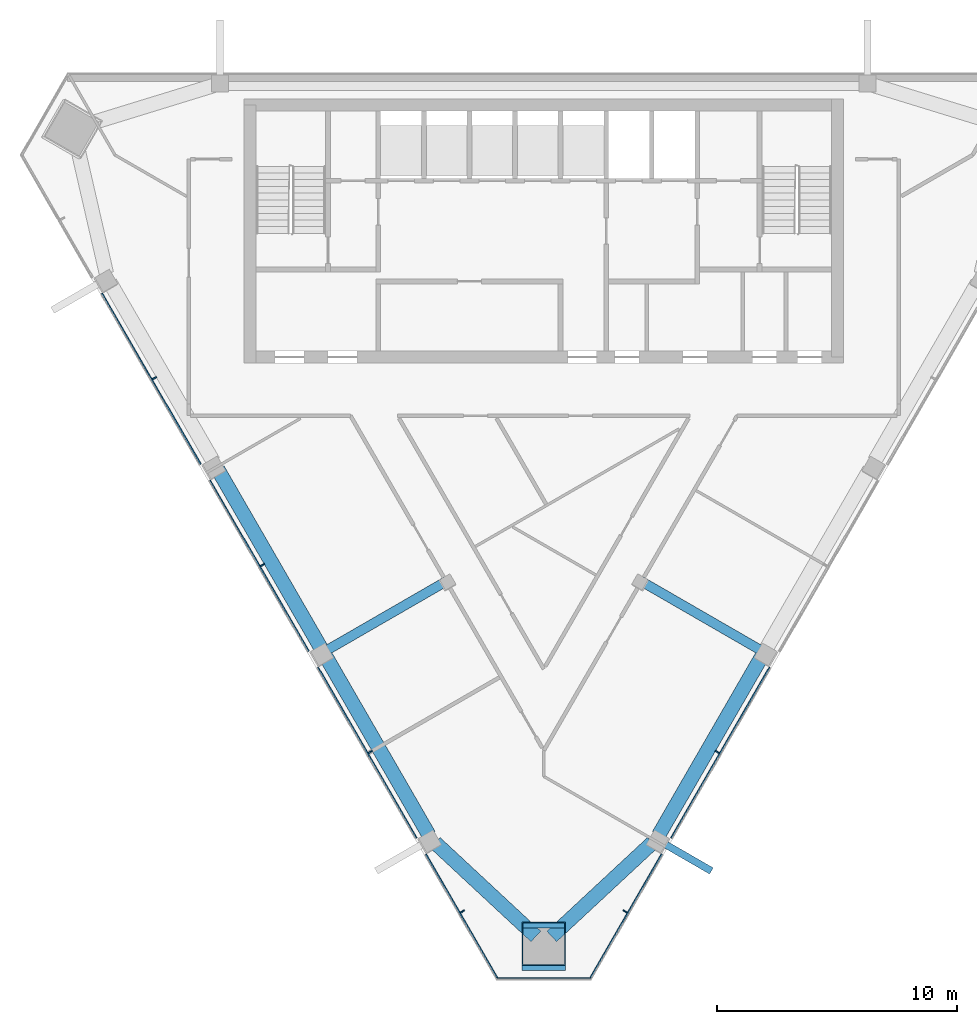
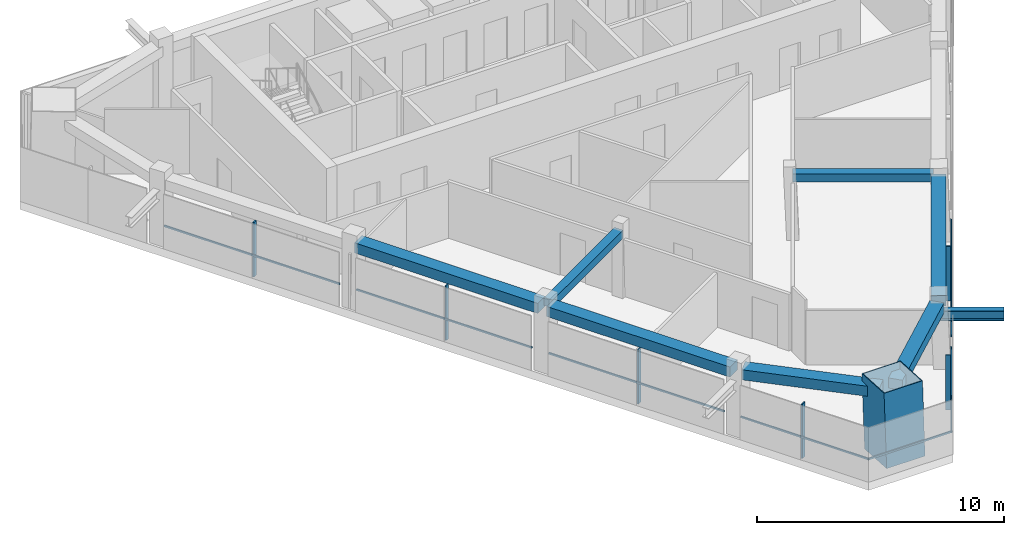
# One storey, part 2 of 9: 15 members, 7 beams, 3 elements without a shape of their own.
"""IFC4 building model written with IfcOpenShell, lengths in metres."""

from ifc_helpers import new_model, si_unit, direction, frame, origin, origin_2d, place, context, subcontext, project, spatial, rectangle, hollow_rectangle, i_section, extrude, material, layer, layer_set, material_profile, profile_set, type_object, element, aggregate, save


model = new_model("IFC4")

# Units and contexts
model_context = context("Model", 3, precision=1e-05, world=origin(), true_north=direction((0.0, 1.0)))
body_context = subcontext(model_context, "Body", "Model", "MODEL_VIEW")
ifc_project = project(units=[si_unit("LENGTHUNIT", "METRE"), si_unit("AREAUNIT", "SQUARE_METRE"), si_unit("VOLUMEUNIT", "CUBIC_METRE"), si_unit("PLANEANGLEUNIT", "RADIAN"), si_unit("MASSUNIT", "GRAM", prefix="KILO")], contexts=[model_context])

# Site, building, storey
site_placement = place(None, origin())
site = spatial("IfcSite", under=ifc_project, at=site_placement, CompositionType="ELEMENT")
building_placement = place(site_placement, origin())
building = spatial("IfcBuilding", under=site, at=building_placement, Name="Altiplano Prism Tower", CompositionType="ELEMENT")
storey_placement = place(building_placement, frame((0.0, 0.0, 309.39990234375)))
storey = spatial("IfcBuildingStorey", under=building, at=storey_placement, Name="L80", CompositionType="ELEMENT", Elevation=309.39990234375)

# Member
ifc_material_1 = material(Name="Steel S355", Category="steel")
ifc_material_profile_1 = material_profile(ifc_material_1, i_section(OverallWidth=0.300048828125, OverallDepth=0.5, WebThickness=0.014404296875, FlangeThickness=0.028076171875, FilletRadius=0.027099609375, at=origin_2d()), Name="Brace bracket HEB 500")
ifc_profile_set_1 = profile_set([ifc_material_profile_1], Name="Steel S355")
member_type_1 = type_object("IfcMemberType", Name="Brace bracket HEB 500", PredefinedType="STRUT", material=ifc_profile_set_1)
member_1_placement = place(storey_placement, frame((89.692138671875, 73.040283203125, 2.433837890625), z_axis=(0.866029095148, -0.499993606316, 0.0), x_axis=(0.499993606316, 0.866029095148, 0.0)))
element("IfcMember", 1, at=member_1_placement, inside=storey, type_object=member_type_1, Name="Brace bracket 2.313", PredefinedType="STRUT", context=body_context, shape_type="SweptSolid", body=[
    extrude(i_section(OverallWidth=0.300048828125, OverallDepth=0.5, WebThickness=0.014404296875, FlangeThickness=0.028076171875, FilletRadius=0.027099609375, at=origin_2d()), origin(), (0.0, 0.0, 1.0), 2.64990234375),
])

# Curtain wall, members
ifc_material_2 = material(Name="Aluminium and glass", Category="aluminium")
ifc_layer = layer(ifc_material_2, 0.303955078125)
ifc_layer_set = layer_set([ifc_layer], Name="Aluminium and glass")
curtain_wall_type = type_object("IfcCurtainWallType", Name="CW2 lounge-band unitised glazing", PredefinedType="NOTDEFINED", material=ifc_layer_set)
curtain_wall_1_placement = place(storey_placement, origin())
curtain_wall_1 = element("IfcCurtainWall", 2, at=curtain_wall_1_placement, inside=storey, type_object=curtain_wall_type, Name="CW2 curtain wall south-west face L80", PredefinedType="NOTDEFINED")
ifc_material_3 = material(Name="Aluminium", Category="aluminium")
ifc_material_profile_2 = material_profile(ifc_material_3, rectangle(XDim=0.199951171875, YDim=0.06005859375, at=origin_2d()), Name="CW2 mullion 60 x 200")
ifc_profile_set_2 = profile_set([ifc_material_profile_2], Name="Aluminium")
member_type_2 = type_object("IfcMemberType", Name="CW2 mullion 60 x 200", PredefinedType="MULLION", material=ifc_profile_set_2)
member_2_placement = place(storey_placement, frame((68.764892578125, 92.264404296875, 0.0), z_axis=(0.0, 0.0, 1.0), x_axis=(0.866025402702, 0.500000001874, 0.0)))
member_2 = element("IfcMember", 3, at=member_2_placement, type_object=member_type_2, Name="CW2 mullion", PredefinedType="MULLION", context=body_context, shape_type="SweptSolid", body=[
    extrude(rectangle(XDim=0.199951171875, YDim=0.06005859375, at=origin_2d()), origin(), (0.0, 0.0, 1.0), 2.7001953125),
])
member_3_placement = place(storey_placement, frame((73.264892578125, 84.47021484375, 0.0), z_axis=(0.0, 0.0, 1.0), x_axis=(0.866025402702, 0.500000001874, 0.0)))
member_3 = element("IfcMember", 4, at=member_3_placement, type_object=member_type_2, Name="CW2 mullion", PredefinedType="MULLION", context=body_context, shape_type="SweptSolid", body=[
    extrude(rectangle(XDim=0.199951171875, YDim=0.06005859375, at=origin_2d()), origin(), (0.0, 0.0, 1.0), 2.7001953125),
])
member_4_placement = place(storey_placement, frame((77.764892578125, 76.676025390625, 0.0), z_axis=(0.0, 0.0, 1.0), x_axis=(0.866025402702, 0.500000001874, 0.0)))
member_4 = element("IfcMember", 5, at=member_4_placement, type_object=member_type_2, Name="CW2 mullion", PredefinedType="MULLION", context=body_context, shape_type="SweptSolid", body=[
    extrude(rectangle(XDim=0.199951171875, YDim=0.06005859375, at=origin_2d()), origin(), (0.0, 0.0, 1.0), 2.7001953125),
])
member_5_placement = place(storey_placement, frame((81.605224609375, 70.024169921875, 0.0), z_axis=(0.0, 0.0, 1.0), x_axis=(0.866025402702, 0.500000001874, 0.0)))
member_5 = element("IfcMember", 6, at=member_5_placement, type_object=member_type_2, Name="CW2 mullion", PredefinedType="MULLION", context=body_context, shape_type="SweptSolid", body=[
    extrude(rectangle(XDim=0.199951171875, YDim=0.06005859375, at=origin_2d()), origin(), (0.0, 0.0, 1.0), 2.7001953125),
])

curtain_wall_2_placement = place(storey_placement, origin())
curtain_wall_2 = element("IfcCurtainWall", 7, at=curtain_wall_2_placement, inside=storey, type_object=curtain_wall_type, Name="CW2 curtain wall south-east face L80", PredefinedType="NOTDEFINED")
member_6_placement = place(storey_placement, frame((88.394775390625, 70.024169921875, 0.0), z_axis=(0.0, 0.0, 1.0), x_axis=(-0.866025402702, 0.500000001874, 0.0)))
member_6 = element("IfcMember", 8, at=member_6_placement, type_object=member_type_2, Name="CW2 mullion", PredefinedType="MULLION", context=body_context, shape_type="SweptSolid", body=[
    extrude(rectangle(XDim=0.199951171875, YDim=0.06005859375, at=origin_2d()), origin(), (0.0, 0.0, 1.0), 2.7001953125),
])
member_7_placement = place(storey_placement, frame((92.235107421875, 76.676025390625, 0.0), z_axis=(0.0, 0.0, 1.0), x_axis=(-0.866025402702, 0.500000001874, 0.0)))
member_7 = element("IfcMember", 9, at=member_7_placement, type_object=member_type_2, Name="CW2 mullion", PredefinedType="MULLION", context=body_context, shape_type="SweptSolid", body=[
    extrude(rectangle(XDim=0.199951171875, YDim=0.06005859375, at=origin_2d()), origin(), (0.0, 0.0, 1.0), 2.7001953125),
])

# Member
ifc_material_profile_3 = material_profile(ifc_material_3, rectangle(XDim=0.06005859375, YDim=0.080078125, at=origin_2d()), Name="CW2 transom 80 x 60")
ifc_profile_set_3 = profile_set([ifc_material_profile_3], Name="Aluminium")
member_type_3 = type_object("IfcMemberType", Name="CW2 transom 80 x 60", PredefinedType="USERDEFINED", material=ifc_profile_set_3)
member_8_placement = place(storey_placement, frame((66.57763671875, 95.79296875, 1.10009765625), z_axis=(0.499991554064, -0.866030279993, 0.0), x_axis=(0.866030279993, 0.499991554064, 0.0)))
member_8 = element("IfcMember", 10, at=member_8_placement, type_object=member_type_3, Name="CW2 transom", ObjectType="TRANSOM", PredefinedType="USERDEFINED", context=body_context, shape_type="SweptSolid", body=[
    extrude(rectangle(XDim=0.06005859375, YDim=0.080078125, at=origin_2d()), origin(), (0.0, 0.0, 1.0), 8.219970703125),
])

member_9_placement = place(storey_placement, frame((71.07763671875, 87.998779296875, 1.10009765625), z_axis=(0.499991554064, -0.866030279993, 0.0), x_axis=(0.866030279993, 0.499991554064, 0.0)))
member_9 = element("IfcMember", 11, at=member_9_placement, type_object=member_type_3, Name="CW2 transom", ObjectType="TRANSOM", PredefinedType="USERDEFINED", context=body_context, shape_type="SweptSolid", body=[
    extrude(rectangle(XDim=0.06005859375, YDim=0.080078125, at=origin_2d()), origin(), (0.0, 0.0, 1.0), 8.219970703125),
])

member_10_placement = place(storey_placement, frame((75.57763671875, 80.20458984375, 1.10009765625), z_axis=(0.499991554064, -0.866030279993, 0.0), x_axis=(0.866030279993, 0.499991554064, 0.0)))
member_10 = element("IfcMember", 12, at=member_10_placement, type_object=member_type_3, Name="CW2 transom", ObjectType="TRANSOM", PredefinedType="USERDEFINED", context=body_context, shape_type="SweptSolid", body=[
    extrude(rectangle(XDim=0.06005859375, YDim=0.080078125, at=origin_2d()), origin(), (0.0, 0.0, 1.0), 8.219970703125),
])

member_11_placement = place(storey_placement, frame((80.07763671875, 72.41015625, 1.10009765625), z_axis=(0.499992005397, -0.866030019421, 0.0), x_axis=(0.866030019421, 0.499992005397, 0.0)))
member_11 = element("IfcMember", 13, at=member_11_placement, type_object=member_type_3, Name="CW2 transom", ObjectType="TRANSOM", PredefinedType="USERDEFINED", context=body_context, shape_type="SweptSolid", body=[
    extrude(rectangle(XDim=0.06005859375, YDim=0.080078125, at=origin_2d()), origin(), (0.0, 0.0, 1.0), 6.0107421875),
])

aggregate(curtain_wall_1, [member_2, member_8, member_3, member_9, member_4, member_10, member_5, member_11])

# Curtain wall, member
curtain_wall_3_placement = place(storey_placement, origin())
curtain_wall_3 = element("IfcCurtainWall", 14, at=curtain_wall_3_placement, inside=storey, type_object=curtain_wall_type, Name="CW2 curtain wall south chamfer L80", PredefinedType="NOTDEFINED")
member_12_placement = place(storey_placement, frame((83.01904296875, 67.24169921875, 1.10009765625), z_axis=(1.0, 0.0, 0.0), x_axis=(0.0, 1.0, 0.0)))
member_12 = element("IfcMember", 15, at=member_12_placement, type_object=member_type_3, Name="CW2 transom", ObjectType="TRANSOM", PredefinedType="USERDEFINED", context=body_context, shape_type="SweptSolid", body=[
    extrude(rectangle(XDim=0.06005859375, YDim=0.080078125, at=origin_2d()), origin(), (0.0, 0.0, 1.0), 3.9619140625),
])
aggregate(curtain_wall_3, [member_12])

# Member
member_13_placement = place(storey_placement, frame((86.9169921875, 67.20458984375, 1.10009765625), z_axis=(0.499992005397, 0.866030019421, 0.0), x_axis=(-0.866030019421, 0.499992005397, 0.0)))
member_13 = element("IfcMember", 16, at=member_13_placement, type_object=member_type_3, Name="CW2 transom", ObjectType="TRANSOM", PredefinedType="USERDEFINED", context=body_context, shape_type="SweptSolid", body=[
    extrude(rectangle(XDim=0.06005859375, YDim=0.080078125, at=origin_2d()), origin(), (0.0, 0.0, 1.0), 6.0107421875),
])

member_14_placement = place(storey_placement, frame((90.3125, 73.0859375, 1.10009765625), z_axis=(0.499991554064, 0.866030279993, 0.0), x_axis=(-0.866030279993, 0.499991554064, 0.0)))
member_14 = element("IfcMember", 17, at=member_14_placement, type_object=member_type_3, Name="CW2 transom", ObjectType="TRANSOM", PredefinedType="USERDEFINED", context=body_context, shape_type="SweptSolid", body=[
    extrude(rectangle(XDim=0.06005859375, YDim=0.080078125, at=origin_2d()), origin(), (0.0, 0.0, 1.0), 8.219970703125),
])

aggregate(curtain_wall_2, [member_6, member_13, member_7, member_14])

# Beams
ifc_material_4 = material(Name="Concrete C60/75", Category="concrete")
ifc_material_profile_4 = material_profile(ifc_material_4, rectangle(XDim=0.60009765625, YDim=0.5, at=origin_2d()), Name="Edge beam 600x500")
ifc_profile_set_4 = profile_set([ifc_material_profile_4], Name="Concrete C60/75")
beam_type_1 = type_object("IfcBeamType", Name="Edge beam 600x500", PredefinedType="SPANDREL", material=ifc_profile_set_4)
beam_1_placement = place(storey_placement, frame((71.410400390625, 88.451416015625, 2.9501953125), z_axis=(0.499990619765, -0.866030819398, 0.0), x_axis=(0.866030819398, 0.499990619765, 0.0)))
element("IfcBeam", 18, at=beam_1_placement, inside=storey, type_object=beam_type_1, Name="Edge beam P12-P13 L81", PredefinedType="SPANDREL", context=body_context, shape_type="SweptSolid", body=[
    extrude(rectangle(XDim=0.60009765625, YDim=0.5, at=origin_2d()), origin(), (0.0, 0.0, 1.0), 8.590087890625),
])
beam_2_placement = place(storey_placement, frame((75.910400390625, 80.656982421875, 2.9501953125), z_axis=(0.500002926724, -0.866023714033, 0.0), x_axis=(0.866023714033, 0.500002926724, 0.0)))
element("IfcBeam", 19, at=beam_2_placement, inside=storey, type_object=beam_type_1, Name="Edge beam P13-P14 L81", PredefinedType="SPANDREL", context=body_context, shape_type="SweptSolid", body=[
    extrude(rectangle(XDim=0.60009765625, YDim=0.5, at=origin_2d()), origin(), (0.0, 0.0, 1.0), 8.58984375),
])
for number, where, z_axis, x_axis, name in (
    (20, (80.468994140625, 72.890625, 2.9501953125), (0.732364394206, -0.680912912272, 0.0), (0.680912912272, 0.732364394206, 0.0), "Edge beam P14-M1 L81"),
    (21, (85.32958984375, 68.984375, 2.9501953125), (0.732364394206, 0.680912912272, 0.0), (-0.680912912272, 0.732364394206, 0.0), "Edge beam M1-P21 L81"),
):
    element("IfcBeam", number, at=place(storey_placement, frame(where, z_axis=z_axis, x_axis=x_axis)), inside=storey, type_object=beam_type_1, Name=name, PredefinedType="SPANDREL", context=body_context, shape_type="SweptSolid", body=[
        extrude(rectangle(XDim=0.60009765625, YDim=0.5, at=origin_2d()), origin(), (0.0, 0.0, 1.0), 5.73681640625),
    ])
beam_3_placement = place(storey_placement, frame((89.794677734375, 73.218017578125, 2.9501953125), z_axis=(0.500002926724, 0.866023714033, 0.0), x_axis=(-0.866023714033, 0.500002926724, 0.0)))
element("IfcBeam", 22, at=beam_3_placement, inside=storey, type_object=beam_type_1, Name="Edge beam P21-P22 L81", PredefinedType="SPANDREL", context=body_context, shape_type="SweptSolid", body=[
    extrude(rectangle(XDim=0.60009765625, YDim=0.5, at=origin_2d()), origin(), (0.0, 0.0, 1.0), 8.58984375),
])

# Member
ifc_material_5 = material(Name="Steel S460", Category="steel")
ifc_material_profile_5 = material_profile(ifc_material_5, hollow_rectangle(XDim=1.800048828125, YDim=1.800048828125, WallThickness=0.0400390625, at=origin_2d()), Name="Mega column tube 1800")
ifc_profile_set_5 = profile_set([ifc_material_profile_5], Name="Steel S460")
member_type_4 = type_object("IfcMemberType", Name="Mega column tube 1800", PredefinedType="POST", material=ifc_profile_set_5)
member_15_placement = place(storey_placement, frame((85.0, 68.467529296875, 0.0), z_axis=(0.0, 0.058356907999, 0.998295783467), x_axis=(-1.0, 0.0, 0.0)))
element("IfcMember", 23, at=member_15_placement, inside=storey, type_object=member_type_4, Name="Mega column tube M1 L80", PredefinedType="POST", context=body_context, shape_type="SweptSolid", body=[
    extrude(hollow_rectangle(XDim=1.800048828125, YDim=1.800048828125, WallThickness=0.0400390625, at=origin_2d()), origin(), (0.0, 0.0, 1.0), 3.606201171875),
])

# Beams
ifc_material_profile_6 = material_profile(ifc_material_4, rectangle(XDim=0.39990234375, YDim=0.39990234375, at=origin_2d()), Name="Tie beam 400x400")
ifc_profile_set_6 = profile_set([ifc_material_profile_6], Name="Concrete C60/75")
beam_type_2 = type_object("IfcBeamType", Name="Tie beam 400x400", PredefinedType="BEAM", material=ifc_profile_set_6)
for number, where, z_axis, x_axis, name in (
    (24, (80.934814453125, 83.794677734375, 3.0), (-0.866018411832, -0.50001211022, 0.0), (0.50001211022, -0.866018411832, 0.0), "Tie beam I13 L81"),
    (25, (89.065185546875, 83.794677734375, 3.0), (0.866018411832, -0.50001211022, 0.0), (0.50001211022, 0.866018411832, 0.0), "Tie beam I22 L81"),
):
    element("IfcBeam", number, at=place(storey_placement, frame(where, z_axis=z_axis, x_axis=x_axis)), inside=storey, type_object=beam_type_2, Name=name, PredefinedType="BEAM", context=body_context, shape_type="SweptSolid", body=[
        extrude(rectangle(XDim=0.39990234375, YDim=0.39990234375, at=origin_2d()), origin(), (0.0, 0.0, 1.0), 5.715087890625),
    ])

save(model, "model.ifc")
